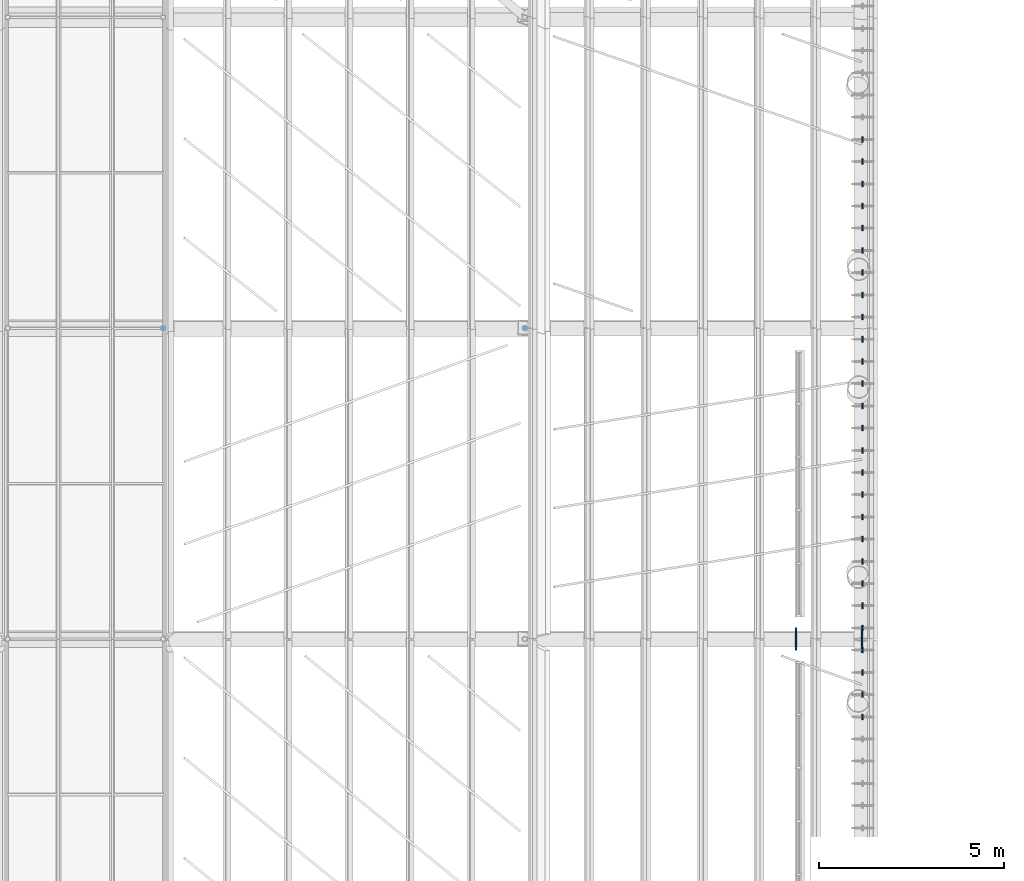
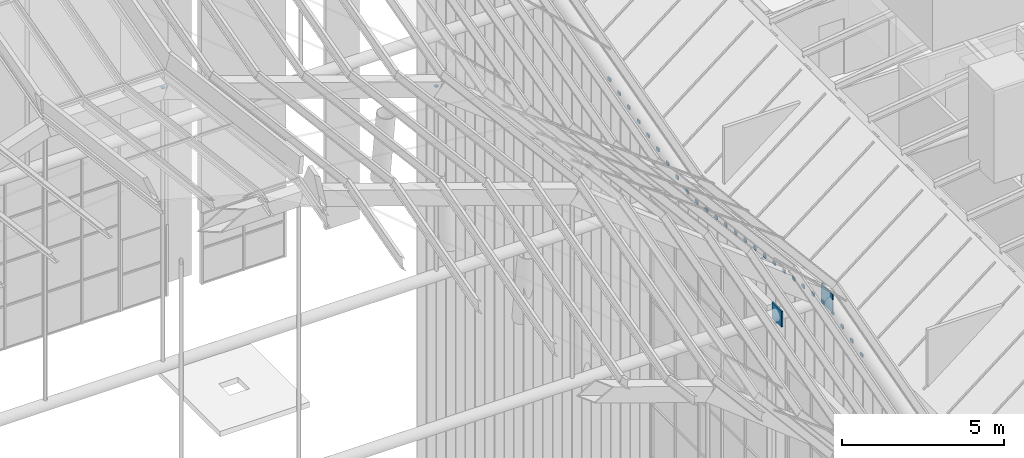
# One storey, part 96 of 126: 31 discrete accessories.
"""IFC4 building model written with IfcOpenShell, lengths in metres."""

from ifc_helpers import new_model, si_unit, direction, frame, origin, origin_2d, place, context, subcontext, project, spatial, rectangle, circle, extrude, material, layer, layer_set, material_profile, profile_set, type_object, element, save


model = new_model("IFC4")

# Units and contexts
model_context = context("Model", 3, precision=1e-05, world=origin(), true_north=direction((0.0, 1.0)))
body_context = subcontext(model_context, "Body", "Model", "MODEL_VIEW")
ifc_project = project(units=[si_unit("LENGTHUNIT", "METRE"), si_unit("AREAUNIT", "SQUARE_METRE"), si_unit("VOLUMEUNIT", "CUBIC_METRE"), si_unit("PLANEANGLEUNIT", "RADIAN"), si_unit("MASSUNIT", "GRAM", prefix="KILO")], contexts=[model_context])

# Site, building, storey
site_placement = place(None, origin())
site = spatial("IfcSite", under=ifc_project, at=site_placement, CompositionType="ELEMENT")
building_placement = place(site_placement, origin())
building = spatial("IfcBuilding", under=site, at=building_placement, Name="Sava Quay Ferry Terminal", CompositionType="ELEMENT")
storey_placement = place(building_placement, frame((0.0, 0.0, 15.0)))
storey = spatial("IfcBuildingStorey", under=building, at=storey_placement, Name="L03", CompositionType="ELEMENT", Elevation=15.0)

# Discrete accessories
ifc_material_1 = material(Name="Steel S355 galvanised", Category="steel")
ifc_layer_1 = layer(ifc_material_1, 0.0400390625)
ifc_layer_set_1 = layer_set([ifc_layer_1], Name="Steel S355 galvanised")
discrete_accessory_type_1 = type_object("IfcDiscreteAccessoryType", Name="Blade bracket flat 40x150", PredefinedType="BRACKET", material=ifc_layer_set_1)
for number, where, z_axis, x_axis, name in (
    (1, (84.0, 73.5, 11.13330078125), (0.0, 0.0, 1.0), (1.0, 0.0, 0.0), "Blade bracket D-E 39"),
    (2, (84.0, 74.10009765625, 11.301513671875), (0.0, 0.0, 1.0), (1.0, 0.0, 0.0), "Blade bracket D-E 40"),
    (3, (84.0, 74.699951171875, 11.469970703125), (0.0, 0.0, 1.0), (1.0, 0.0, 0.0), "Blade bracket D-E 41"),
    (4, (84.0, 75.300048828125, 11.63818359375), (0.0, 0.0, 1.0), (1.0, 0.0, 0.0), "Blade bracket D-E 42"),
    (5, (84.0, 75.89990234375, 11.685302734375), (0.0, 0.0, 1.0), (1.0, 0.0, 0.0), "Blade bracket D-E 43"),
    (6, (84.0, 76.5, 11.61083984375), (0.0, 0.0, 1.0), (1.0, 0.0, 0.0), "Blade bracket D-E 44"),
    (7, (84.0, 77.10009765625, 11.536376953125), (0.0, 0.0, 1.0), (1.0, 0.0, 0.0), "Blade bracket D-E 45"),
    (8, (84.0, 77.699951171875, 11.4619140625), (0.0, 0.0, 1.0), (1.0, 0.0, 0.0), "Blade bracket D-E 46"),
    (9, (84.0, 78.300048828125, 11.387451171875), (0.0, 0.0, 1.0), (1.0, 0.0, 0.0), "Blade bracket D-E 47"),
    (10, (84.0, 78.89990234375, 11.31298828125), (0.0, 0.0, 1.0), (1.0, 0.0, 0.0), "Blade bracket D-E 48"),
    (11, (84.0, 79.5, 11.23876953125), (0.0, 0.0, 1.0), (1.0, 0.0, 0.0), "Blade bracket D-E 49"),
    (12, (84.0, 80.10009765625, 11.164306640625), (0.0, 0.0, 1.0), (1.0, 0.0, 0.0), "Blade bracket D-E 50"),
    (13, (84.0, 80.699951171875, 11.08984375), (0.0, 0.0, 1.0), (1.0, 0.0, 0.0), "Blade bracket D-E 51"),
    (14, (84.0, 81.300048828125, 11.015380859375), (0.0, 0.0, 1.0), (1.0, 0.0, 0.0), "Blade bracket D-E 52"),
    (15, (84.0, 81.89990234375, 10.94091796875), (0.0, 0.0, 1.0), (1.0, 0.0, 0.0), "Blade bracket D-E 53"),
    (16, (84.0, 82.5, 10.866455078125), (0.0, 0.0, 1.0), (1.0, 0.0, 0.0), "Blade bracket D-E 54"),
    (17, (84.0, 83.10009765625, 10.7919921875), (0.0, 0.0, 1.0), (1.0, 0.0, 0.0), "Blade bracket D-E 55"),
    (18, (84.0, 83.699951171875, 10.7177734375), (0.0, 0.0, 1.0), (1.0, 0.0, 0.0), "Blade bracket D-E 56"),
    (19, (84.0, 84.300048828125, 10.762451171875), (0.0, 0.0, 1.0), (1.0, 0.0, 0.0), "Blade bracket D-E 57"),
    (20, (84.0, 84.89990234375, 10.9267578125), (0.0, 0.0, 1.0), (1.0, 0.0, 0.0), "Blade bracket D-E 58"),
    (21, (84.0, 85.5, 11.0908203125), (0.0, 0.0, 1.0), (1.0, 0.0, 0.0), "Blade bracket D-E 59"),
    (22, (84.0, 86.10009765625, 11.2548828125), (0.0, 0.0, 1.0), (1.0, 0.0, 0.0), "Blade bracket D-E 60"),
    (23, (84.0, 86.699951171875, 11.419189453125), (0.0, 0.0, 1.0), (1.0, 0.0, 0.0), "Blade bracket D-E 61"),
    (24, (84.0, 87.300048828125, 11.583251953125), (0.0, 0.0, 1.0), (1.0, 0.0, 0.0), "Blade bracket D-E 62"),
    (25, (84.0, 87.89990234375, 11.747314453125), (0.0, 0.0, 1.0), (1.0, 0.0, 0.0), "Blade bracket D-E 63"),
    (26, (84.0, 88.5, 11.91162109375), (0.0, 0.0, 1.0), (1.0, 0.0, 0.0), "Blade bracket D-E 64"),
    (27, (84.0, 89.10009765625, 12.07568359375), (0.0, 0.0, 1.0), (1.0, 0.0, 0.0), "Blade bracket D-E 65"),
):
    element("IfcDiscreteAccessory", number, at=place(storey_placement, frame(where, z_axis=z_axis, x_axis=x_axis)), inside=storey, type_object=discrete_accessory_type_1, Name=name, PredefinedType="BRACKET", context=body_context, shape_type="SweptSolid", body=[
        extrude(rectangle(XDim=0.0400390625, YDim=0.14990234375, at=origin_2d()), origin(), (0.0, 0.0, 1.0), 0.1201171875),
    ])
ifc_material_2 = material(Name="Steel S355", Category="steel")
ifc_layer_2 = layer(ifc_material_2, 0.050048828125)
ifc_layer_set_2 = layer_set([ifc_layer_2], Name="Steel S355")
discrete_accessory_type_2 = type_object("IfcDiscreteAccessoryType", Name="Tie glazing collar 50", PredefinedType="ANCHORPLATE", material=ifc_layer_set_2)
discrete_accessory_1_placement = place(storey_placement, frame((82.199951171875, 75.60009765625, 11.77099609375), z_axis=(0.0, 0.0, 1.0), x_axis=(1.0, 0.0, 0.0)))
element("IfcDiscreteAccessory", 28, at=discrete_accessory_1_placement, inside=storey, type_object=discrete_accessory_type_2, Name="Departure hall arch tie R3 glazing collar 2", PredefinedType="ANCHORPLATE", context=body_context, shape_type="SweptSolid", body=[
    extrude(rectangle(XDim=0.050048828125, YDim=0.60009765625, at=origin_2d()), origin(), (0.0, 0.0, 1.0), 0.60009765625),
])
ifc_material_3 = material(Name="Steel S355", Category="steel")
ifc_layer_3 = layer(ifc_material_3, 0.0400390625)
ifc_layer_set_3 = layer_set([ifc_layer_3], Name="Steel S355")
discrete_accessory_type_3 = type_object("IfcDiscreteAccessoryType", Name="Tie node plate 40", PredefinedType="ANCHORPLATE", material=ifc_layer_set_3)
discrete_accessory_2_placement = place(storey_placement, frame((83.985107421875, 75.60009765625, 11.72119140625), z_axis=(0.0, 0.0, 1.0), x_axis=(1.0, 0.0, 0.0)))
element("IfcDiscreteAccessory", 29, at=discrete_accessory_2_placement, inside=storey, type_object=discrete_accessory_type_3, Name="Departure hall arch tie R3 node plate 2", PredefinedType="ANCHORPLATE", context=body_context, shape_type="SweptSolid", body=[
    extrude(rectangle(XDim=0.0400390625, YDim=0.699951171875, at=origin_2d()), origin(), (0.0, 0.0, 1.0), 0.699951171875),
])
ifc_material_4 = material(Name="Steel S355", Category="steel")
ifc_material_profile = material_profile(ifc_material_4, circle(Radius=0.06982421875, at=origin_2d()), Name="Plate 139.7 dia x 20")
ifc_profile_set = profile_set([ifc_material_profile], Name="Steel S355")
discrete_accessory_type_4 = type_object("IfcDiscreteAccessoryType", Name="Tube end plate 139.7", PredefinedType="ANCHORPLATE", material=ifc_profile_set)
for number, where, z_axis, x_axis, name in (
    (30, (65.10009765625, 84.0, 21.526123046875), (0.0, 0.0, 1.0), (1.0, 0.0, 0.0), "End plate Departure hall tie hanger R4 V3"),
    (31, (74.8701171875, 84.0, 18.162109375), (0.0, 0.0, 1.0), (1.0, 0.0, 0.0), "End plate Departure hall tie hanger R4 V4"),
):
    element("IfcDiscreteAccessory", number, at=place(storey_placement, frame(where, z_axis=z_axis, x_axis=x_axis)), inside=storey, type_object=discrete_accessory_type_4, Name=name, PredefinedType="ANCHORPLATE", context=body_context, shape_type="SweptSolid", body=[
        extrude(circle(Radius=0.06982421875, at=origin_2d()), origin(), (0.0, 0.0, 1.0), 0.02001953125),
    ])

save(model, "model.ifc")
